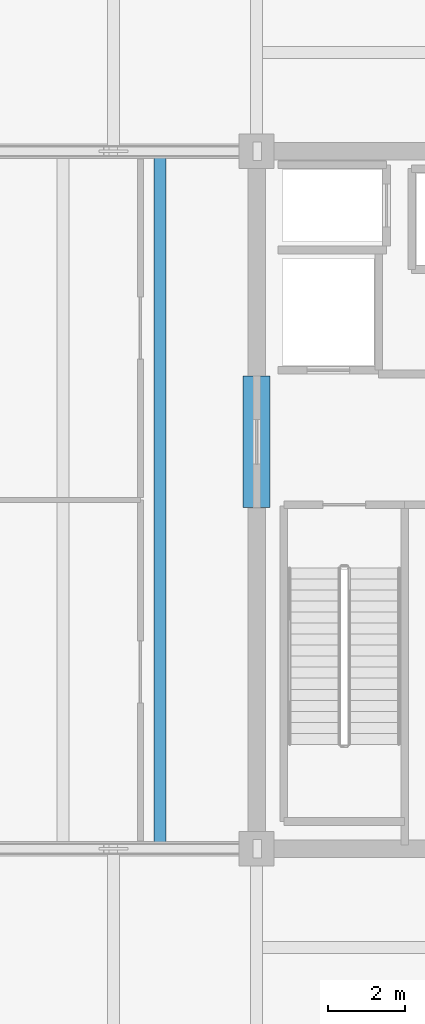
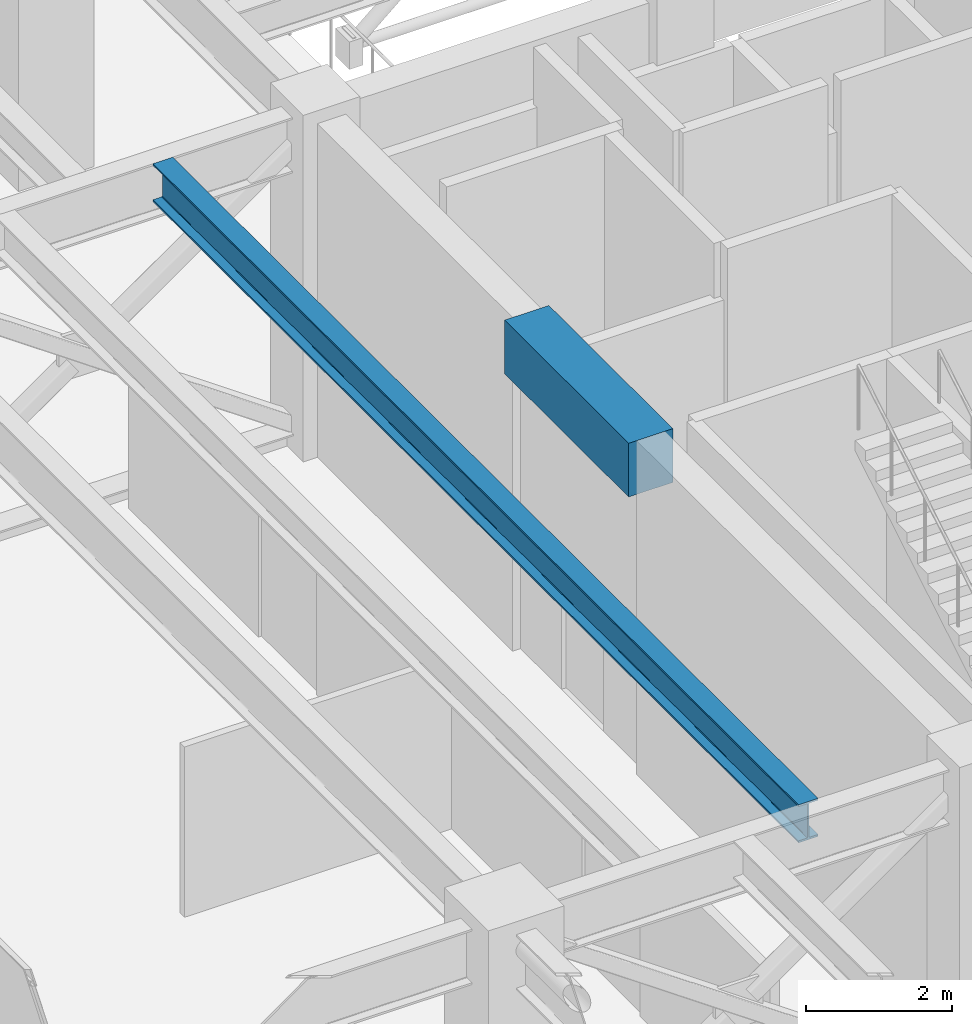
# One storey, part 7 of 26: 2 beams.
"""IFC4 building model written with IfcOpenShell, lengths in metres."""

from ifc_helpers import new_model, si_unit, direction, frame, origin, origin_2d, place, context, subcontext, project, spatial, rectangle, i_section, extrude, material, material_profile, profile_set, type_object, element, save


model = new_model("IFC4")

# Units and contexts
model_context = context("Model", 3, precision=1e-05, world=origin(), true_north=direction((0.0, 1.0)))
body_context = subcontext(model_context, "Body", "Model", "MODEL_VIEW")
ifc_project = project(units=[si_unit("LENGTHUNIT", "METRE"), si_unit("AREAUNIT", "SQUARE_METRE"), si_unit("VOLUMEUNIT", "CUBIC_METRE"), si_unit("PLANEANGLEUNIT", "RADIAN"), si_unit("MASSUNIT", "GRAM", prefix="KILO")], contexts=[model_context])

# Site, building, storey
site_placement = place(None, origin())
site = spatial("IfcSite", under=ifc_project, at=site_placement, CompositionType="ELEMENT")
building_placement = place(site_placement, origin())
building = spatial("IfcBuilding", under=site, at=building_placement, Name="Kovane Verandah Tower", CompositionType="ELEMENT")
storey_placement = place(building_placement, frame((0.0, 0.0, 301.0)))
storey = spatial("IfcBuildingStorey", under=building, at=storey_placement, Name="L70", CompositionType="ELEMENT", Elevation=301.0)

# Beams
ifc_material_1 = material(Name="Concrete C60/75", Category="concrete")
ifc_material_profile_1 = material_profile(ifc_material_1, rectangle(XDim=0.699951171875, YDim=0.89990234375, at=origin_2d()), Name="RCB700x900")
ifc_profile_set_1 = profile_set([ifc_material_profile_1], Name="Concrete C60/75")
beam_type_1 = type_object("IfcBeamType", Name="BM-LINTEL-700x900", PredefinedType="LINTEL", material=ifc_profile_set_1)
beam_1_placement = place(storey_placement, frame((29.0, 27.300048828125, 5.135009765625), z_axis=(0.0, 1.0, 0.0), x_axis=(-1.0, 0.0, 0.0)))
element("IfcBeam", 1, at=beam_1_placement, inside=storey, type_object=beam_type_1, Name="L70 Core Coupling Lintel CL-W", PredefinedType="LINTEL", context=body_context, shape_type="SweptSolid", body=[
    extrude(rectangle(XDim=0.699951171875, YDim=0.89990234375, at=origin_2d()), origin(), (0.0, 0.0, 1.0), 3.39990234375),
])
ifc_material_2 = material(Name="Steel S460", Category="steel")
ifc_material_profile_2 = material_profile(ifc_material_2, i_section(OverallWidth=0.311279296875, OverallDepth=0.6357421875, WebThickness=0.018310546875, FlangeThickness=0.031494140625, FilletRadius=0.0166015625, at=origin_2d()), Name="UB610x305x238")
ifc_profile_set_2 = profile_set([ifc_material_profile_2], Name="Steel S460")
beam_type_2 = type_object("IfcBeamType", Name="BM-UB610x238", PredefinedType="BEAM", material=ifc_profile_set_2)
beam_2_placement = place(storey_placement, frame((26.5, 18.65185546875, 5.26708984375), z_axis=(0.0, 1.0, 0.0), x_axis=(-1.0, 0.0, 0.0)))
element("IfcBeam", 2, at=beam_2_placement, inside=storey, type_object=beam_type_2, Name="L70 Secondary Composite Joist J-W2", PredefinedType="BEAM", context=body_context, shape_type="SweptSolid", body=[
    extrude(i_section(OverallWidth=0.311279296875, OverallDepth=0.6357421875, WebThickness=0.018310546875, FlangeThickness=0.031494140625, FilletRadius=0.0166015625, at=origin_2d()), origin(), (0.0, 0.0, 1.0), 17.6962890625),
])

save(model, "model.ifc")
